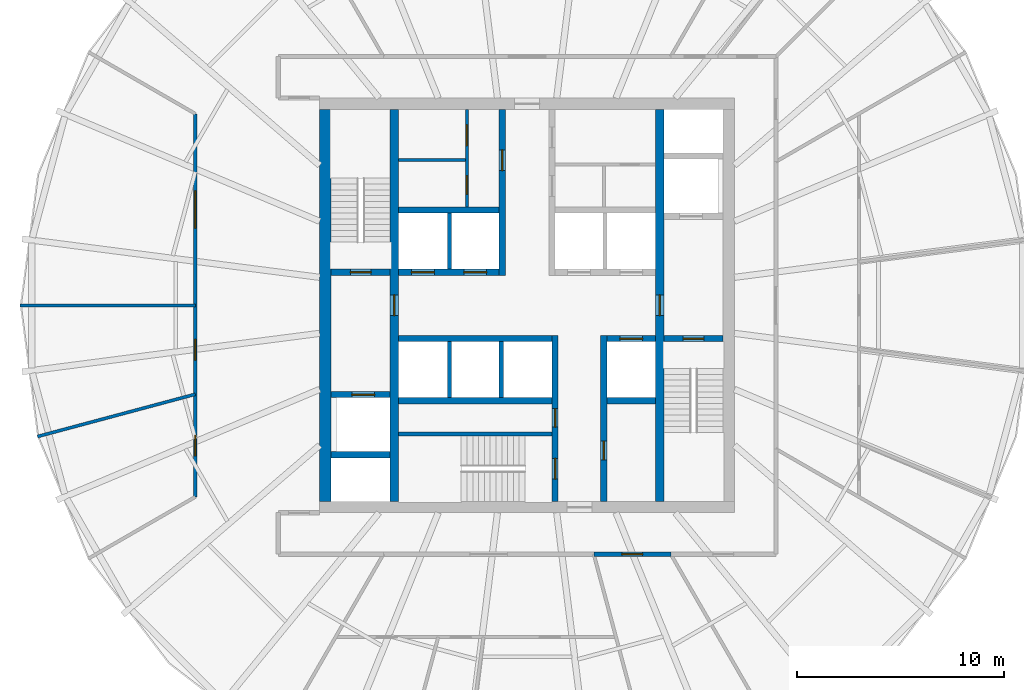
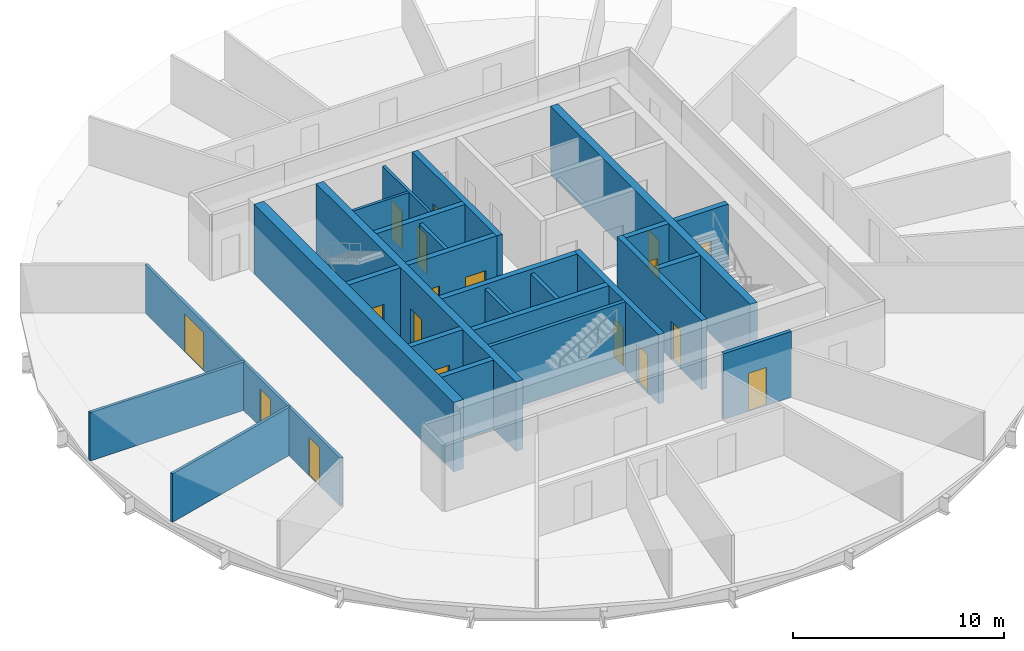
# One storey, part 3 of 6: 26 walls, 18 doors, 18 openings.
"""IFC4 building model written with IfcOpenShell, lengths in metres."""

from ifc_helpers import new_model, si_unit, direction, frame, frame_2d, origin, place, context, subcontext, project, spatial, rectangle, extrude, material, layer, layer_set, type_object, element, fill, save


model = new_model("IFC4")

# Units and contexts
model_context = context("Model", 3, precision=1e-05, world=origin(), true_north=direction((0.0, 1.0)))
body_context = subcontext(model_context, "Body", "Model", "MODEL_VIEW")
ifc_project = project(units=[si_unit("LENGTHUNIT", "METRE"), si_unit("AREAUNIT", "SQUARE_METRE"), si_unit("VOLUMEUNIT", "CUBIC_METRE"), si_unit("PLANEANGLEUNIT", "RADIAN"), si_unit("MASSUNIT", "GRAM", prefix="KILO")], contexts=[model_context])

# Site, building, storey
site_placement = place(None, origin())
site = spatial("IfcSite", under=ifc_project, at=site_placement, CompositionType="ELEMENT")
building_placement = place(site_placement, origin())
building = spatial("IfcBuilding", under=site, at=building_placement, Name="Golbaran Civic Tower", CompositionType="ELEMENT")
storey_placement = place(building_placement, frame((0.0, 0.0, 126.0)))
storey = spatial("IfcBuildingStorey", under=building, at=storey_placement, Name="L30", CompositionType="ELEMENT", Elevation=126.0)

# Wall, opening, door
ifc_material_1 = material(Name="Concrete C50/60", Category="concrete")
ifc_layer_1 = layer(ifc_material_1, 0.39990234375, Name="Concrete C50/60")
ifc_layer_set_1 = layer_set([ifc_layer_1], Name="Concrete C50/60")
wall_type_1 = type_object("IfcWallType", Name="CORE WALL CONCRETE 400", PredefinedType="SOLIDWALL", material=ifc_layer_set_1)
wall_1_placement = place(storey_placement, frame((-6.39990234375, -9.449951171875, 0.0), z_axis=(0.0, 0.0, 1.0), x_axis=(0.0, 1.0, 0.0)))
wall_1 = element("IfcWall", 1, at=wall_1_placement, inside=storey, type_object=wall_type_1, Name="Core wall IW L30", PredefinedType="SOLIDWALL", context=body_context, shape_type="SweptSolid", body=[
    extrude(rectangle(XDim=18.89990234375, YDim=0.39990234375, at=frame_2d((9.449951171875, 0.0))), origin(), (0.0, 0.0, 1.0), 4.0),
])
opening_1_placement = place(wall_1_placement, frame((8.949951171875, 0.0, 0.0)))
opening_1 = element("IfcOpeningElement", 2, at=opening_1_placement, cuts=wall_1, Name="Opening L30.FL1", PredefinedType="OPENING", context=body_context, shape_type="SweptSolid", body=[
    extrude(rectangle(XDim=1.0, YDim=2.199951171875, at=frame_2d((0.5, 1.10009765625))), frame((0.0, 0.2099609375, 0.0), z_axis=(0.0, -1.0, 0.0), x_axis=(1.0, 0.0, 0.0)), (0.0, 0.0, 1.0), 0.419921875),
])
ifc_material_2 = material(Name="Timber door set in steel frame", Category="steel")
door_type_1 = type_object("IfcDoorType", Name="STAIR DOOR 1000x2200", OperationType="SINGLE_SWING_LEFT", PredefinedType="DOOR", material=ifc_material_2)
door_1_placement = place(opening_1_placement, origin())
door_1 = element("IfcDoor", 3, at=door_1_placement, inside=storey, type_object=door_type_1, Name="Fire-fighting lobby FL1 door", OperationType="SINGLE_SWING_LEFT", OverallHeight=2.199951171875, OverallWidth=1.0, PredefinedType="DOOR", context=body_context, shape_type="SweptSolid", body=[
    extrude(rectangle(XDim=1.0, YDim=2.199951171875, at=frame_2d((0.5, 1.10009765625))), frame((0.0, 0.02490234375, 0.0), z_axis=(0.0, -1.0, 0.0), x_axis=(1.0, 0.0, 0.0)), (0.0, 0.0, 1.0), 0.050048828125),
])
fill(opening_1, door_1)

wall_2_placement = place(storey_placement, frame((6.39990234375, 9.449951171875, 0.0), z_axis=(0.0, 0.0, 1.0), x_axis=(0.0, -1.0, 0.0)))
wall_2 = element("IfcWall", 4, at=wall_2_placement, inside=storey, type_object=wall_type_1, Name="Core wall IE L30", PredefinedType="SOLIDWALL", context=body_context, shape_type="SweptSolid", body=[
    extrude(rectangle(XDim=18.89990234375, YDim=0.39990234375, at=frame_2d((9.449951171875, 0.0))), origin(), (0.0, 0.0, 1.0), 4.0),
])
opening_2_placement = place(wall_2_placement, frame((8.949951171875, 0.0, 0.0)))
opening_2 = element("IfcOpeningElement", 5, at=opening_2_placement, cuts=wall_2, Name="Opening L30.FL2", PredefinedType="OPENING", context=body_context, shape_type="SweptSolid", body=[
    extrude(rectangle(XDim=1.0, YDim=2.199951171875, at=frame_2d((0.5, 1.10009765625))), frame((0.0, 0.2099609375, 0.0), z_axis=(0.0, -1.0, 0.0), x_axis=(1.0, 0.0, 0.0)), (0.0, 0.0, 1.0), 0.419921875),
])
door_2_placement = place(opening_2_placement, origin())
door_2 = element("IfcDoor", 6, at=door_2_placement, inside=storey, type_object=door_type_1, Name="Fire-fighting lobby FL2 door", OperationType="SINGLE_SWING_RIGHT", OverallHeight=2.199951171875, OverallWidth=1.0, PredefinedType="DOOR", context=body_context, shape_type="SweptSolid", body=[
    extrude(rectangle(XDim=1.0, YDim=2.199951171875, at=frame_2d((0.5, 1.10009765625))), frame((0.0, 0.02490234375, 0.0), z_axis=(0.0, -1.0, 0.0), x_axis=(1.0, 0.0, 0.0)), (0.0, 0.0, 1.0), 0.050048828125),
])
fill(opening_2, door_2)

# Wall
ifc_layer_2 = layer(ifc_material_1, 0.550048828125, Name="Concrete C50/60")
ifc_layer_set_2 = layer_set([ifc_layer_2], Name="Concrete C50/60")
wall_type_2 = type_object("IfcWallType", Name="CORE WALL CONCRETE 550", PredefinedType="SOLIDWALL", material=ifc_layer_set_2)
wall_3_placement = place(storey_placement, frame((-9.72509765625, 9.449951171875, 0.0), z_axis=(0.0, 0.0, 1.0), x_axis=(0.0, -1.0, 0.0)))
element("IfcWall", 7, at=wall_3_placement, inside=storey, type_object=wall_type_2, Name="Core wall CW L30", PredefinedType="SOLIDWALL", context=body_context, shape_type="SweptSolid", body=[
    extrude(rectangle(XDim=18.89990234375, YDim=0.550048828125, at=frame_2d((9.449951171875, 0.0))), origin(), (0.0, 0.0, 1.0), 4.0),
])

# Wall, opening, door
ifc_material_3 = material(Name="Gypsum board on steel studs, fire-rated", Category="steel")
ifc_layer_3 = layer(ifc_material_3, 0.199951171875, Name="Gypsum board on steel studs, fire-rated")
ifc_layer_set_3 = layer_set([ifc_layer_3], Name="Gypsum board on steel studs, fire-rated")
wall_type_3 = type_object("IfcWallType", Name="CORRIDOR WALL 200", PredefinedType="PARTITIONING", material=ifc_layer_set_3)
wall_4_placement = place(storey_placement, frame((3.21533203125, -12.0, 0.0), z_axis=(0.0, 0.0, 1.0), x_axis=(1.0, 0.0, 0.0)))
wall_4 = element("IfcWall", 8, at=wall_4_placement, inside=storey, type_object=wall_type_3, Name="Corridor wall L30", PredefinedType="PARTITIONING", context=body_context, shape_type="SweptSolid", body=[
    extrude(rectangle(XDim=3.712890625, YDim=0.199951171875, at=frame_2d((1.8564453125, 0.0))), origin(), (0.0, 0.0, 1.0), 3.800048828125),
])
opening_3_placement = place(wall_4_placement, frame((1.3564453125, 0.0, 0.0)))
opening_3 = element("IfcOpeningElement", 9, at=opening_3_placement, cuts=wall_4, Name="Opening L30.22", PredefinedType="OPENING", context=body_context, shape_type="SweptSolid", body=[
    extrude(rectangle(XDim=1.0, YDim=2.199951171875, at=frame_2d((0.5, 1.10009765625))), frame((0.0, 0.10986328125, 0.0), z_axis=(0.0, -1.0, 0.0), x_axis=(1.0, 0.0, 0.0)), (0.0, 0.0, 1.0), 0.219970703125),
])
door_type_2 = type_object("IfcDoorType", Name="OFFICE DOOR 1000x2200", OperationType="SINGLE_SWING_LEFT", PredefinedType="DOOR", material=ifc_material_2)
door_3_placement = place(opening_3_placement, origin())
door_3 = element("IfcDoor", 10, at=door_3_placement, inside=storey, type_object=door_type_2, Name="Meeting Room door L30", OperationType="SINGLE_SWING_LEFT", OverallHeight=2.199951171875, OverallWidth=1.0, PredefinedType="DOOR", context=body_context, shape_type="SweptSolid", body=[
    extrude(rectangle(XDim=1.0, YDim=2.199951171875, at=frame_2d((0.5, 1.10009765625))), frame((0.0, 0.02490234375, 0.0), z_axis=(0.0, -1.0, 0.0), x_axis=(1.0, 0.0, 0.0)), (0.0, 0.0, 1.0), 0.050048828125),
])
fill(opening_3, door_3)

# Walls
ifc_material_4 = material(Name="Concrete block", Category="concrete")
ifc_layer_4 = layer(ifc_material_4, 0.199951171875, Name="Concrete block")
ifc_layer_set_4 = layer_set([ifc_layer_4], Name="Concrete block")
wall_type_4 = type_object("IfcWallType", Name="LIFT SEPARATOR WALL 200", PredefinedType="SOLIDWALL", material=ifc_layer_set_4)
for number, where, z_axis, x_axis, name in (
    (11, (-3.75, 1.75, 0.0), (0.0, 0.0, 1.0), (0.0, 1.0, 0.0), "Core partition SNW L30"),
    (12, (-3.75, -1.75, 0.0), (0.0, 0.0, 1.0), (0.0, -1.0, 0.0), "Core partition SSW L30"),
    (13, (-1.25, -1.75, 0.0), (0.0, 0.0, 1.0), (0.0, -1.0, 0.0), "Core partition SSM L30"),
):
    element("IfcWall", number, at=place(storey_placement, frame(where, z_axis=z_axis, x_axis=x_axis)), inside=storey, type_object=wall_type_4, Name=name, PredefinedType="SOLIDWALL", context=body_context, shape_type="SweptSolid", body=[
        extrude(rectangle(XDim=2.699951171875, YDim=0.199951171875, at=frame_2d((1.35009765625, 0.0))), origin(), (0.0, 0.0, 1.0), 3.75),
    ])

# Wall, openings, doors
ifc_material_5 = material(Name="Gypsum board on steel studs", Category="steel")
ifc_layer_5 = layer(ifc_material_5, 0.14990234375, Name="Gypsum board on steel studs")
ifc_layer_set_5 = layer_set([ifc_layer_5], Name="Gypsum board on steel studs")
wall_type_5 = type_object("IfcWallType", Name="OFFICE PARTITION 150", PredefinedType="PARTITIONING", material=ifc_layer_set_5)
wall_5_placement = place(storey_placement, frame((-16.0, 9.237548828125, 0.0), z_axis=(0.0, 0.0, 1.0), x_axis=(0.0, -1.0, 0.0)))
wall_5 = element("IfcWall", 14, at=wall_5_placement, inside=storey, type_object=wall_type_5, Name="Suite partition L30", PredefinedType="PARTITIONING", context=body_context, shape_type="SweptSolid", body=[
    extrude(rectangle(XDim=18.47509765625, YDim=0.14990234375, at=frame_2d((9.237548828125, 0.0))), origin(), (0.0, 0.0, 1.0), 2.7900390625),
])
opening_4_placement = place(wall_5_placement, frame((3.71875, 0.0, 0.0)))
opening_4 = element("IfcOpeningElement", 15, at=opening_4_placement, cuts=wall_5, Name="Opening L30.10", PredefinedType="OPENING", context=body_context, shape_type="SweptSolid", body=[
    extrude(rectangle(XDim=1.800048828125, YDim=2.199951171875, at=frame_2d((0.89990234375, 1.10009765625))), frame((0.0, 0.0849609375, 0.0), z_axis=(0.0, -1.0, 0.0), x_axis=(1.0, 0.0, 0.0)), (0.0, 0.0, 1.0), 0.169921875),
])
opening_5_placement = place(wall_5_placement, frame((10.881103515625, 0.0, 0.0)))
opening_5 = element("IfcOpeningElement", 16, at=opening_5_placement, cuts=wall_5, Name="Opening L30.11", PredefinedType="OPENING", context=body_context, shape_type="SweptSolid", body=[
    extrude(rectangle(XDim=1.0, YDim=2.199951171875, at=frame_2d((0.5, 1.10009765625))), frame((0.0, 0.0849609375, 0.0), z_axis=(0.0, -1.0, 0.0), x_axis=(1.0, 0.0, 0.0)), (0.0, 0.0, 1.0), 0.169921875),
])
opening_6_placement = place(wall_5_placement, frame((15.5, 0.0, 0.0)))
opening_6 = element("IfcOpeningElement", 17, at=opening_6_placement, cuts=wall_5, Name="Opening L30.12", PredefinedType="OPENING", context=body_context, shape_type="SweptSolid", body=[
    extrude(rectangle(XDim=1.0, YDim=2.199951171875, at=frame_2d((0.5, 1.10009765625))), frame((0.0, 0.0849609375, 0.0), z_axis=(0.0, -1.0, 0.0), x_axis=(1.0, 0.0, 0.0)), (0.0, 0.0, 1.0), 0.169921875),
])
door_4_placement = place(opening_5_placement, origin())
door_4 = element("IfcDoor", 18, at=door_4_placement, inside=storey, type_object=door_type_2, Name="Office door L30", OperationType="SINGLE_SWING_RIGHT", OverallHeight=2.199951171875, OverallWidth=1.0, PredefinedType="DOOR", context=body_context, shape_type="SweptSolid", body=[
    extrude(rectangle(XDim=1.0, YDim=2.199951171875, at=frame_2d((0.5, 1.10009765625))), frame((0.0, 0.02490234375, 0.0), z_axis=(0.0, -1.0, 0.0), x_axis=(1.0, 0.0, 0.0)), (0.0, 0.0, 1.0), 0.050048828125),
])
fill(opening_5, door_4)
door_5_placement = place(opening_6_placement, origin())
door_5 = element("IfcDoor", 19, at=door_5_placement, inside=storey, type_object=door_type_2, Name="Office door L30", OperationType="SINGLE_SWING_RIGHT", OverallHeight=2.199951171875, OverallWidth=1.0, PredefinedType="DOOR", context=body_context, shape_type="SweptSolid", body=[
    extrude(rectangle(XDim=1.0, YDim=2.199951171875, at=frame_2d((0.5, 1.10009765625))), frame((0.0, 0.02490234375, 0.0), z_axis=(0.0, -1.0, 0.0), x_axis=(1.0, 0.0, 0.0)), (0.0, 0.0, 1.0), 0.050048828125),
])
fill(opening_6, door_5)
door_type_3 = type_object("IfcDoorType", Name="OFFICE DOUBLE DOOR 1800x2200", OperationType="DOUBLE_DOOR_SINGLE_SWING", PredefinedType="DOOR", material=ifc_material_2)
door_6_placement = place(opening_4_placement, origin())
door_6 = element("IfcDoor", 20, at=door_6_placement, inside=storey, type_object=door_type_3, Name="Office door L30", OperationType="DOUBLE_DOOR_SINGLE_SWING", OverallHeight=2.199951171875, OverallWidth=1.800048828125, PredefinedType="DOOR", context=body_context, shape_type="SweptSolid", body=[
    extrude(rectangle(XDim=1.800048828125, YDim=2.199951171875, at=frame_2d((0.89990234375, 1.10009765625))), frame((0.0, 0.02490234375, 0.0), z_axis=(0.0, -1.0, 0.0), x_axis=(1.0, 0.0, 0.0)), (0.0, 0.0, 1.0), 0.050048828125),
])
fill(opening_4, door_6)

# Walls
wall_6_placement = place(storey_placement, frame((-16.0, 0.0, 0.0), z_axis=(0.0, 0.0, 1.0), x_axis=(-1.0, 0.0, 0.0)))
element("IfcWall", 21, at=wall_6_placement, inside=storey, type_object=wall_type_5, Name="Partition 180 L30", PredefinedType="PARTITIONING", context=body_context, shape_type="SweptSolid", body=[
    extrude(rectangle(XDim=8.443115234375, YDim=0.14990234375, at=frame_2d((4.2216796875, 0.0))), origin(), (0.0, 0.0, 1.0), 2.7900390625),
])
wall_7_placement = place(storey_placement, frame((-16.0, -4.287109375, 0.0), z_axis=(0.0, 0.0, 1.0), x_axis=(-0.965922047545, -0.258833147156, 0.0)))
element("IfcWall", 22, at=wall_7_placement, inside=storey, type_object=wall_type_5, Name="Partition 195 L30", PredefinedType="PARTITIONING", context=body_context, shape_type="SweptSolid", body=[
    extrude(rectangle(XDim=7.87890625, YDim=0.14990234375, at=frame_2d((3.939453125, 0.0))), origin(), (0.0, 0.0, 1.0), 2.7900390625),
])
ifc_layer_6 = layer(ifc_material_1, 0.199951171875, Name="Concrete C50/60")
ifc_layer_set_6 = layer_set([ifc_layer_6], Name="Concrete C50/60")
wall_type_6 = type_object("IfcWallType", Name="SHAFT WALL CONCRETE 200", PredefinedType="SOLIDWALL", material=ifc_layer_set_6)
wall_8_placement = place(storey_placement, frame((-6.199951171875, -6.199951171875, 0.0), z_axis=(0.0, 0.0, 1.0), x_axis=(1.0, 0.0, 0.0)))
element("IfcWall", 23, at=wall_8_placement, inside=storey, type_object=wall_type_6, Name="Core wall S3N L30", PredefinedType="SOLIDWALL", context=body_context, shape_type="SweptSolid", body=[
    extrude(rectangle(XDim=7.39990234375, YDim=0.199951171875, at=frame_2d((3.699951171875, 0.0))), origin(), (0.0, 0.0, 1.0), 4.0),
])

# Wall, openings, doors
ifc_layer_7 = layer(ifc_material_1, 0.300048828125, Name="Concrete C50/60")
ifc_layer_set_7 = layer_set([ifc_layer_7], Name="Concrete C50/60")
wall_type_7 = type_object("IfcWallType", Name="SHAFT WALL CONCRETE 300", PredefinedType="SOLIDWALL", material=ifc_layer_set_7)
wall_9_placement = place(storey_placement, frame((-6.199951171875, 1.60009765625, 0.0), z_axis=(0.0, 0.0, 1.0), x_axis=(1.0, 0.0, 0.0)))
wall_9 = element("IfcWall", 24, at=wall_9_placement, inside=storey, type_object=wall_type_7, Name="Core wall FNW L30", PredefinedType="SOLIDWALL", context=body_context, shape_type="SweptSolid", body=[
    extrude(rectangle(XDim=4.849853515625, YDim=0.300048828125, at=frame_2d((2.4248046875, 0.0))), origin(), (0.0, 0.0, 1.0), 4.0),
])
opening_7_placement = place(wall_9_placement, frame((0.625, 0.0, 0.0)))
opening_7 = element("IfcOpeningElement", 25, at=opening_7_placement, cuts=wall_9, Name="Opening L30.LD-Z1M", PredefinedType="OPENING", context=body_context, shape_type="SweptSolid", body=[
    extrude(rectangle(XDim=1.10009765625, YDim=2.199951171875, at=frame_2d((0.550048828125, 1.10009765625))), frame((0.0, 0.159912109375, 0.0), z_axis=(0.0, -1.0, 0.0), x_axis=(1.0, 0.0, 0.0)), (0.0, 0.0, 1.0), 0.320068359375),
])
opening_8_placement = place(wall_9_placement, frame((3.14990234375, 0.0, 0.0)))
opening_8 = element("IfcOpeningElement", 26, at=opening_8_placement, cuts=wall_9, Name="Opening L30.LD-Z2M", PredefinedType="OPENING", context=body_context, shape_type="SweptSolid", body=[
    extrude(rectangle(XDim=1.10009765625, YDim=2.199951171875, at=frame_2d((0.550048828125, 1.10009765625))), frame((0.0, 0.159912109375, 0.0), z_axis=(0.0, -1.0, 0.0), x_axis=(1.0, 0.0, 0.0)), (0.0, 0.0, 1.0), 0.320068359375),
])
ifc_material_6 = material(Name="Stainless steel", Category="steel")
door_type_4 = type_object("IfcDoorType", Name="LIFT LANDING DOOR 1100x2200", OperationType="SLIDING_TO_LEFT", PredefinedType="DOOR", material=ifc_material_6)
door_7_placement = place(opening_7_placement, origin())
door_7 = element("IfcDoor", 27, at=door_7_placement, inside=storey, type_object=door_type_4, Name="Lift landing door Z1M", OperationType="SLIDING_TO_LEFT", OverallHeight=2.199951171875, OverallWidth=1.10009765625, PredefinedType="DOOR", context=body_context, shape_type="SweptSolid", body=[
    extrude(rectangle(XDim=1.10009765625, YDim=2.199951171875, at=frame_2d((0.550048828125, 1.10009765625))), frame((0.0, 0.02490234375, 0.0), z_axis=(0.0, -1.0, 0.0), x_axis=(1.0, 0.0, 0.0)), (0.0, 0.0, 1.0), 0.050048828125),
])
fill(opening_7, door_7)
door_8_placement = place(opening_8_placement, origin())
door_8 = element("IfcDoor", 28, at=door_8_placement, inside=storey, type_object=door_type_4, Name="Lift landing door Z2M", OperationType="SLIDING_TO_LEFT", OverallHeight=2.199951171875, OverallWidth=1.10009765625, PredefinedType="DOOR", context=body_context, shape_type="SweptSolid", body=[
    extrude(rectangle(XDim=1.10009765625, YDim=2.199951171875, at=frame_2d((0.550048828125, 1.10009765625))), frame((0.0, 0.02490234375, 0.0), z_axis=(0.0, -1.0, 0.0), x_axis=(1.0, 0.0, 0.0)), (0.0, 0.0, 1.0), 0.050048828125),
])
fill(opening_8, door_8)

# Wall
wall_10_placement = place(storey_placement, frame((-6.199951171875, 4.60009765625, 0.0), z_axis=(0.0, 0.0, 1.0), x_axis=(1.0, 0.0, 0.0)))
element("IfcWall", 29, at=wall_10_placement, inside=storey, type_object=wall_type_7, Name="Core wall BNW L30", PredefinedType="SOLIDWALL", context=body_context, shape_type="SweptSolid", body=[
    extrude(rectangle(XDim=4.849853515625, YDim=0.300048828125, at=frame_2d((2.4248046875, 0.0))), origin(), (0.0, 0.0, 1.0), 4.0),
])

# Wall, opening, door
wall_11_placement = place(storey_placement, frame((-1.199951171875, 1.449951171875, 0.0), z_axis=(0.0, 0.0, 1.0), x_axis=(0.0, 1.0, 0.0)))
wall_11 = element("IfcWall", 30, at=wall_11_placement, inside=storey, type_object=wall_type_7, Name="Core wall PNW L30", PredefinedType="SOLIDWALL", context=body_context, shape_type="SweptSolid", body=[
    extrude(rectangle(XDim=8.0, YDim=0.300048828125, at=frame_2d((4.0, 0.0))), origin(), (0.0, 0.0, 1.0), 4.0),
])
opening_9_placement = place(wall_11_placement, frame((5.050048828125, 0.0, 0.0)))
opening_9 = element("IfcOpeningElement", 31, at=opening_9_placement, cuts=wall_11, Name="Opening L30.WCM", PredefinedType="OPENING", context=body_context, shape_type="SweptSolid", body=[
    extrude(rectangle(XDim=1.0, YDim=2.199951171875, at=frame_2d((0.5, 1.10009765625))), frame((0.0, 0.159912109375, 0.0), z_axis=(0.0, -1.0, 0.0), x_axis=(1.0, 0.0, 0.0)), (0.0, 0.0, 1.0), 0.320068359375),
])
door_type_5 = type_object("IfcDoorType", Name="TOILET DOOR 1000x2200", OperationType="SINGLE_SWING_LEFT", PredefinedType="DOOR", material=ifc_material_2)
door_9_placement = place(opening_9_placement, origin())
door_9 = element("IfcDoor", 32, at=door_9_placement, inside=storey, type_object=door_type_5, Name="North-west toilet block door", OperationType="SINGLE_SWING_RIGHT", OverallHeight=2.199951171875, OverallWidth=1.0, PredefinedType="DOOR", context=body_context, shape_type="SweptSolid", body=[
    extrude(rectangle(XDim=1.0, YDim=2.199951171875, at=frame_2d((0.5, 1.10009765625))), frame((0.0, 0.02490234375, 0.0), z_axis=(0.0, -1.0, 0.0), x_axis=(1.0, 0.0, 0.0)), (0.0, 0.0, 1.0), 0.050048828125),
])
fill(opening_9, door_9)

# Wall
wall_12_placement = place(storey_placement, frame((-6.199951171875, -1.60009765625, 0.0), z_axis=(0.0, 0.0, 1.0), x_axis=(1.0, 0.0, 0.0)))
element("IfcWall", 33, at=wall_12_placement, inside=storey, type_object=wall_type_7, Name="Core wall FSW L30", PredefinedType="SOLIDWALL", context=body_context, shape_type="SweptSolid", body=[
    extrude(rectangle(XDim=7.39990234375, YDim=0.300048828125, at=frame_2d((3.699951171875, 0.0))), origin(), (0.0, 0.0, 1.0), 4.0),
])

# Wall, opening, door
wall_13_placement = place(storey_placement, frame((3.85009765625, -1.60009765625, 0.0), z_axis=(0.0, 0.0, 1.0), x_axis=(1.0, 0.0, 0.0)))
wall_13 = element("IfcWall", 34, at=wall_13_placement, inside=storey, type_object=wall_type_7, Name="Core wall FSE L30", PredefinedType="SOLIDWALL", context=body_context, shape_type="SweptSolid", body=[
    extrude(rectangle(XDim=2.349853515625, YDim=0.300048828125, at=frame_2d((1.1748046875, 0.0))), origin(), (0.0, 0.0, 1.0), 4.0),
])
opening_10_placement = place(wall_13_placement, frame((0.625, 0.0, 0.0)))
opening_10 = element("IfcOpeningElement", 35, at=opening_10_placement, cuts=wall_13, Name="Opening L30.LD-V1", PredefinedType="OPENING", context=body_context, shape_type="SweptSolid", body=[
    extrude(rectangle(XDim=1.10009765625, YDim=2.199951171875, at=frame_2d((0.550048828125, 1.10009765625))), frame((0.0, 0.159912109375, 0.0), z_axis=(0.0, -1.0, 0.0), x_axis=(1.0, 0.0, 0.0)), (0.0, 0.0, 1.0), 0.320068359375),
])
door_10_placement = place(opening_10_placement, origin())
door_10 = element("IfcDoor", 36, at=door_10_placement, inside=storey, type_object=door_type_4, Name="Lift landing door V1", OperationType="SLIDING_TO_LEFT", OverallHeight=2.199951171875, OverallWidth=1.10009765625, PredefinedType="DOOR", context=body_context, shape_type="SweptSolid", body=[
    extrude(rectangle(XDim=1.10009765625, YDim=2.199951171875, at=frame_2d((0.550048828125, 1.10009765625))), frame((0.0, 0.02490234375, 0.0), z_axis=(0.0, -1.0, 0.0), x_axis=(1.0, 0.0, 0.0)), (0.0, 0.0, 1.0), 0.050048828125),
])
fill(opening_10, door_10)

# Walls
wall_14_placement = place(storey_placement, frame((-6.199951171875, -4.60009765625, 0.0), z_axis=(0.0, 0.0, 1.0), x_axis=(1.0, 0.0, 0.0)))
element("IfcWall", 37, at=wall_14_placement, inside=storey, type_object=wall_type_7, Name="Core wall BSW L30", PredefinedType="SOLIDWALL", context=body_context, shape_type="SweptSolid", body=[
    extrude(rectangle(XDim=7.39990234375, YDim=0.300048828125, at=frame_2d((3.699951171875, 0.0))), origin(), (0.0, 0.0, 1.0), 4.0),
])
wall_15_placement = place(storey_placement, frame((3.85009765625, -4.60009765625, 0.0), z_axis=(0.0, 0.0, 1.0), x_axis=(1.0, 0.0, 0.0)))
element("IfcWall", 38, at=wall_15_placement, inside=storey, type_object=wall_type_7, Name="Core wall BSE L30", PredefinedType="SOLIDWALL", context=body_context, shape_type="SweptSolid", body=[
    extrude(rectangle(XDim=2.349853515625, YDim=0.300048828125, at=frame_2d((1.1748046875, 0.0))), origin(), (0.0, 0.0, 1.0), 4.0),
])

# Wall, openings, doors
wall_16_placement = place(storey_placement, frame((1.35009765625, -1.449951171875, 0.0), z_axis=(0.0, 0.0, 1.0), x_axis=(0.0, -1.0, 0.0)))
wall_16 = element("IfcWall", 39, at=wall_16_placement, inside=storey, type_object=wall_type_7, Name="Core wall PSW L30", PredefinedType="SOLIDWALL", context=body_context, shape_type="SweptSolid", body=[
    extrude(rectangle(XDim=8.0, YDim=0.300048828125, at=frame_2d((4.0, 0.0))), origin(), (0.0, 0.0, 1.0), 4.0),
])
opening_11_placement = place(wall_16_placement, frame((5.925048828125, 0.0, 0.0)))
opening_11 = element("IfcOpeningElement", 40, at=opening_11_placement, cuts=wall_16, Name="Opening L30.S3", PredefinedType="OPENING", context=body_context, shape_type="SweptSolid", body=[
    extrude(rectangle(XDim=1.0, YDim=2.199951171875, at=frame_2d((0.5, 1.10009765625))), frame((0.0, 0.159912109375, 0.0), z_axis=(0.0, -1.0, 0.0), x_axis=(1.0, 0.0, 0.0)), (0.0, 0.0, 1.0), 0.320068359375),
])
opening_12_placement = place(wall_16_placement, frame((3.52490234375, 0.0, 0.0)))
opening_12 = element("IfcOpeningElement", 41, at=opening_12_placement, cuts=wall_16, Name="Opening L30.RE", PredefinedType="OPENING", context=body_context, shape_type="SweptSolid", body=[
    extrude(rectangle(XDim=0.89990234375, YDim=2.199951171875, at=frame_2d((0.449951171875, 1.10009765625))), frame((0.0, 0.159912109375, 0.0), z_axis=(0.0, -1.0, 0.0), x_axis=(1.0, 0.0, 0.0)), (0.0, 0.0, 1.0), 0.320068359375),
])
door_type_6 = type_object("IfcDoorType", Name="RISER DOOR 900x2200", OperationType="SINGLE_SWING_LEFT", PredefinedType="DOOR", material=ifc_material_2)
door_11_placement = place(opening_12_placement, origin())
door_11 = element("IfcDoor", 42, at=door_11_placement, inside=storey, type_object=door_type_6, Name="Electrical riser door", OperationType="SINGLE_SWING_LEFT", OverallHeight=2.199951171875, OverallWidth=0.89990234375, PredefinedType="DOOR", context=body_context, shape_type="SweptSolid", body=[
    extrude(rectangle(XDim=0.89990234375, YDim=2.199951171875, at=frame_2d((0.449951171875, 1.10009765625))), frame((0.0, 0.02490234375, 0.0), z_axis=(0.0, -1.0, 0.0), x_axis=(1.0, 0.0, 0.0)), (0.0, 0.0, 1.0), 0.050048828125),
])
fill(opening_12, door_11)
door_12_placement = place(opening_11_placement, origin())
door_12 = element("IfcDoor", 43, at=door_12_placement, inside=storey, type_object=door_type_1, Name="Stair S3 door", OperationType="SINGLE_SWING_RIGHT", OverallHeight=2.199951171875, OverallWidth=1.0, PredefinedType="DOOR", context=body_context, shape_type="SweptSolid", body=[
    extrude(rectangle(XDim=1.0, YDim=2.199951171875, at=frame_2d((0.5, 1.10009765625))), frame((0.0, 0.02490234375, 0.0), z_axis=(0.0, -1.0, 0.0), x_axis=(1.0, 0.0, 0.0)), (0.0, 0.0, 1.0), 0.050048828125),
])
fill(opening_11, door_12)

# Wall, opening, door
wall_17_placement = place(storey_placement, frame((3.699951171875, -1.449951171875, 0.0), z_axis=(0.0, 0.0, 1.0), x_axis=(0.0, -1.0, 0.0)))
wall_17 = element("IfcWall", 44, at=wall_17_placement, inside=storey, type_object=wall_type_7, Name="Core wall PSE L30", PredefinedType="SOLIDWALL", context=body_context, shape_type="SweptSolid", body=[
    extrude(rectangle(XDim=8.0, YDim=0.300048828125, at=frame_2d((4.0, 0.0))), origin(), (0.0, 0.0, 1.0), 4.0),
])
opening_13_placement = place(wall_17_placement, frame((5.10009765625, 0.0, 0.0)))
opening_13 = element("IfcOpeningElement", 45, at=opening_13_placement, cuts=wall_17, Name="Opening L30.RM", PredefinedType="OPENING", context=body_context, shape_type="SweptSolid", body=[
    extrude(rectangle(XDim=0.89990234375, YDim=2.199951171875, at=frame_2d((0.449951171875, 1.10009765625))), frame((0.0, 0.159912109375, 0.0), z_axis=(0.0, -1.0, 0.0), x_axis=(1.0, 0.0, 0.0)), (0.0, 0.0, 1.0), 0.320068359375),
])
door_13_placement = place(opening_13_placement, origin())
door_13 = element("IfcDoor", 46, at=door_13_placement, inside=storey, type_object=door_type_6, Name="Mechanical riser door", OperationType="SINGLE_SWING_RIGHT", OverallHeight=2.199951171875, OverallWidth=0.89990234375, PredefinedType="DOOR", context=body_context, shape_type="SweptSolid", body=[
    extrude(rectangle(XDim=0.89990234375, YDim=2.199951171875, at=frame_2d((0.449951171875, 1.10009765625))), frame((0.0, 0.02490234375, 0.0), z_axis=(0.0, -1.0, 0.0), x_axis=(1.0, 0.0, 0.0)), (0.0, 0.0, 1.0), 0.050048828125),
])
fill(opening_13, door_13)

wall_18_placement = place(storey_placement, frame((-9.449951171875, 1.60009765625, 0.0), z_axis=(0.0, 0.0, 1.0), x_axis=(1.0, 0.0, 0.0)))
wall_18 = element("IfcWall", 47, at=wall_18_placement, inside=storey, type_object=wall_type_7, Name="Core wall XW1 L30", PredefinedType="SOLIDWALL", context=body_context, shape_type="SweptSolid", body=[
    extrude(rectangle(XDim=2.849853515625, YDim=0.300048828125, at=frame_2d((1.4248046875, 0.0))), origin(), (0.0, 0.0, 1.0), 4.0),
])
opening_14_placement = place(wall_18_placement, frame((0.925048828125, 0.0, 0.0)))
opening_14 = element("IfcOpeningElement", 48, at=opening_14_placement, cuts=wall_18, Name="Opening L30.S1", PredefinedType="OPENING", context=body_context, shape_type="SweptSolid", body=[
    extrude(rectangle(XDim=1.0, YDim=2.199951171875, at=frame_2d((0.5, 1.10009765625))), frame((0.0, 0.159912109375, 0.0), z_axis=(0.0, -1.0, 0.0), x_axis=(1.0, 0.0, 0.0)), (0.0, 0.0, 1.0), 0.320068359375),
])
door_14_placement = place(opening_14_placement, origin())
door_14 = element("IfcDoor", 49, at=door_14_placement, inside=storey, type_object=door_type_1, Name="Stair S1 door", OperationType="SINGLE_SWING_LEFT", OverallHeight=2.199951171875, OverallWidth=1.0, PredefinedType="DOOR", context=body_context, shape_type="SweptSolid", body=[
    extrude(rectangle(XDim=1.0, YDim=2.199951171875, at=frame_2d((0.5, 1.10009765625))), frame((0.0, 0.02490234375, 0.0), z_axis=(0.0, -1.0, 0.0), x_axis=(1.0, 0.0, 0.0)), (0.0, 0.0, 1.0), 0.050048828125),
])
fill(opening_14, door_14)

wall_19_placement = place(storey_placement, frame((6.60009765625, -1.60009765625, 0.0), z_axis=(0.0, 0.0, 1.0), x_axis=(1.0, 0.0, 0.0)))
wall_19 = element("IfcWall", 50, at=wall_19_placement, inside=storey, type_object=wall_type_7, Name="Core wall XE1 L30", PredefinedType="SOLIDWALL", context=body_context, shape_type="SweptSolid", body=[
    extrude(rectangle(XDim=2.849853515625, YDim=0.300048828125, at=frame_2d((1.4248046875, 0.0))), origin(), (0.0, 0.0, 1.0), 4.0),
])
opening_15_placement = place(wall_19_placement, frame((0.925048828125, 0.0, 0.0)))
opening_15 = element("IfcOpeningElement", 51, at=opening_15_placement, cuts=wall_19, Name="Opening L30.S2", PredefinedType="OPENING", context=body_context, shape_type="SweptSolid", body=[
    extrude(rectangle(XDim=1.0, YDim=2.199951171875, at=frame_2d((0.5, 1.10009765625))), frame((0.0, 0.159912109375, 0.0), z_axis=(0.0, -1.0, 0.0), x_axis=(1.0, 0.0, 0.0)), (0.0, 0.0, 1.0), 0.320068359375),
])
door_15_placement = place(opening_15_placement, origin())
door_15 = element("IfcDoor", 52, at=door_15_placement, inside=storey, type_object=door_type_1, Name="Stair S2 door", OperationType="SINGLE_SWING_LEFT", OverallHeight=2.199951171875, OverallWidth=1.0, PredefinedType="DOOR", context=body_context, shape_type="SweptSolid", body=[
    extrude(rectangle(XDim=1.0, YDim=2.199951171875, at=frame_2d((0.5, 1.10009765625))), frame((0.0, 0.02490234375, 0.0), z_axis=(0.0, -1.0, 0.0), x_axis=(1.0, 0.0, 0.0)), (0.0, 0.0, 1.0), 0.050048828125),
])
fill(opening_15, door_15)

wall_20_placement = place(storey_placement, frame((-9.449951171875, -4.300048828125, 0.0), z_axis=(0.0, 0.0, 1.0), x_axis=(1.0, 0.0, 0.0)))
wall_20 = element("IfcWall", 53, at=wall_20_placement, inside=storey, type_object=wall_type_7, Name="Core wall XW2 L30", PredefinedType="SOLIDWALL", context=body_context, shape_type="SweptSolid", body=[
    extrude(rectangle(XDim=2.849853515625, YDim=0.300048828125, at=frame_2d((1.4248046875, 0.0))), origin(), (0.0, 0.0, 1.0), 4.0),
])
opening_16_placement = place(wall_20_placement, frame((1.0, 0.0, 0.0)))
opening_16 = element("IfcOpeningElement", 54, at=opening_16_placement, cuts=wall_20, Name="Opening L30.LD-F1", PredefinedType="OPENING", context=body_context, shape_type="SweptSolid", body=[
    extrude(rectangle(XDim=1.10009765625, YDim=2.199951171875, at=frame_2d((0.550048828125, 1.10009765625))), frame((0.0, 0.159912109375, 0.0), z_axis=(0.0, -1.0, 0.0), x_axis=(1.0, 0.0, 0.0)), (0.0, 0.0, 1.0), 0.320068359375),
])
door_16_placement = place(opening_16_placement, origin())
door_16 = element("IfcDoor", 55, at=door_16_placement, inside=storey, type_object=door_type_4, Name="Lift landing door F1", OperationType="SLIDING_TO_LEFT", OverallHeight=2.199951171875, OverallWidth=1.10009765625, PredefinedType="DOOR", context=body_context, shape_type="SweptSolid", body=[
    extrude(rectangle(XDim=1.10009765625, YDim=2.199951171875, at=frame_2d((0.550048828125, 1.10009765625))), frame((0.0, 0.02490234375, 0.0), z_axis=(0.0, -1.0, 0.0), x_axis=(1.0, 0.0, 0.0)), (0.0, 0.0, 1.0), 0.050048828125),
])
fill(opening_16, door_16)

# Wall
wall_21_placement = place(storey_placement, frame((-9.449951171875, -7.199951171875, 0.0), z_axis=(0.0, 0.0, 1.0), x_axis=(1.0, 0.0, 0.0)))
element("IfcWall", 56, at=wall_21_placement, inside=storey, type_object=wall_type_7, Name="Core wall XW3 L30", PredefinedType="SOLIDWALL", context=body_context, shape_type="SweptSolid", body=[
    extrude(rectangle(XDim=2.849853515625, YDim=0.300048828125, at=frame_2d((1.4248046875, 0.0))), origin(), (0.0, 0.0, 1.0), 4.0),
])

# Wall, openings, doors
ifc_material_7 = material(Name="Moisture-resistant gypsum board on steel studs", Category="steel")
ifc_layer_8 = layer(ifc_material_7, 0.14990234375, Name="Moisture-resistant gypsum board on steel studs")
ifc_layer_set_8 = layer_set([ifc_layer_8], Name="Moisture-resistant gypsum board on steel studs")
wall_type_8 = type_object("IfcWallType", Name="TOILET BLOCK PARTITION 150", PredefinedType="PARTITIONING", material=ifc_layer_set_8)
wall_22_placement = place(storey_placement, frame((-2.89990234375, 4.75, 0.0), z_axis=(0.0, 0.0, 1.0), x_axis=(0.0, 1.0, 0.0)))
wall_22 = element("IfcWall", 57, at=wall_22_placement, inside=storey, type_object=wall_type_8, Name="Toilet block partition MWL L30", PredefinedType="PARTITIONING", context=body_context, shape_type="SweptSolid", body=[
    extrude(rectangle(XDim=4.699951171875, YDim=0.14990234375, at=frame_2d((2.35009765625, 0.0))), origin(), (0.0, 0.0, 1.0), 3.75),
])
opening_17_placement = place(wall_22_placement, frame((2.949951171875, 0.0, 0.0)))
opening_17 = element("IfcOpeningElement", 58, at=opening_17_placement, cuts=wall_22, Name="Opening L30.24", PredefinedType="OPENING", context=body_context, shape_type="SweptSolid", body=[
    extrude(rectangle(XDim=1.0, YDim=2.199951171875, at=frame_2d((0.5, 1.10009765625))), frame((0.0, 0.0849609375, 0.0), z_axis=(0.0, -1.0, 0.0), x_axis=(1.0, 0.0, 0.0)), (0.0, 0.0, 1.0), 0.169921875),
])
opening_18_placement = place(wall_22_placement, frame((0.60009765625, 0.0, 0.0)))
opening_18 = element("IfcOpeningElement", 59, at=opening_18_placement, cuts=wall_22, Name="Opening L30.01", PredefinedType="OPENING", context=body_context, shape_type="SweptSolid", body=[
    extrude(rectangle(XDim=0.89990234375, YDim=2.199951171875, at=frame_2d((0.449951171875, 1.10009765625))), frame((0.0, 0.0849609375, 0.0), z_axis=(0.0, -1.0, 0.0), x_axis=(1.0, 0.0, 0.0)), (0.0, 0.0, 1.0), 0.169921875),
])
door_17_placement = place(opening_18_placement, origin())
door_17 = element("IfcDoor", 60, at=door_17_placement, inside=storey, type_object=door_type_6, Name="IT and comms room door", OperationType="SINGLE_SWING_LEFT", OverallHeight=2.199951171875, OverallWidth=0.89990234375, PredefinedType="DOOR", context=body_context, shape_type="SweptSolid", body=[
    extrude(rectangle(XDim=0.89990234375, YDim=2.199951171875, at=frame_2d((0.449951171875, 1.10009765625))), frame((0.0, 0.02490234375, 0.0), z_axis=(0.0, -1.0, 0.0), x_axis=(1.0, 0.0, 0.0)), (0.0, 0.0, 1.0), 0.050048828125),
])
fill(opening_18, door_17)
door_18_placement = place(opening_17_placement, origin())
door_18 = element("IfcDoor", 61, at=door_18_placement, inside=storey, type_object=door_type_5, Name="Female WC door", OperationType="SINGLE_SWING_RIGHT", OverallHeight=2.199951171875, OverallWidth=1.0, PredefinedType="DOOR", context=body_context, shape_type="SweptSolid", body=[
    extrude(rectangle(XDim=1.0, YDim=2.199951171875, at=frame_2d((0.5, 1.10009765625))), frame((0.0, 0.02490234375, 0.0), z_axis=(0.0, -1.0, 0.0), x_axis=(1.0, 0.0, 0.0)), (0.0, 0.0, 1.0), 0.050048828125),
])
fill(opening_17, door_18)

# Wall
wall_23_placement = place(storey_placement, frame((-6.199951171875, 7.0, 0.0), z_axis=(0.0, 0.0, 1.0), x_axis=(1.0, 0.0, 0.0)))
element("IfcWall", 62, at=wall_23_placement, inside=storey, type_object=wall_type_8, Name="Toilet block partition MWX L30", PredefinedType="PARTITIONING", context=body_context, shape_type="SweptSolid", body=[
    extrude(rectangle(XDim=3.224853515625, YDim=0.14990234375, at=frame_2d((1.6123046875, 0.0))), origin(), (0.0, 0.0, 1.0), 3.75),
])

save(model, "model.ifc")
